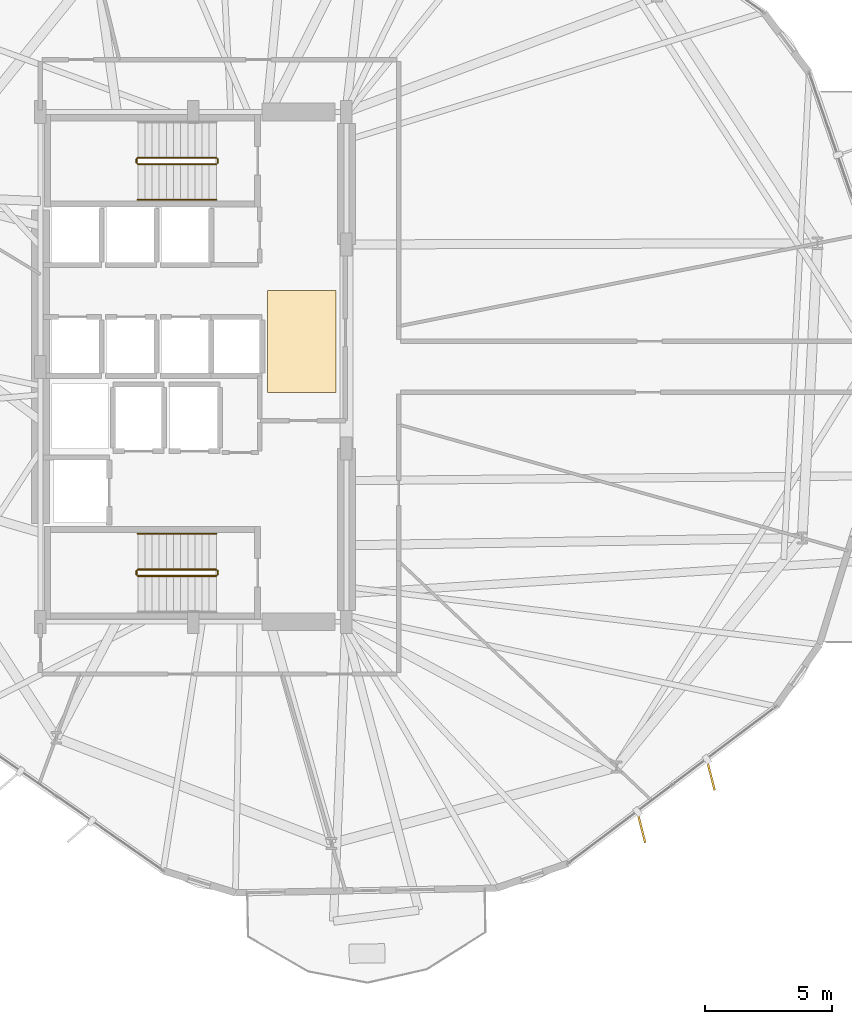
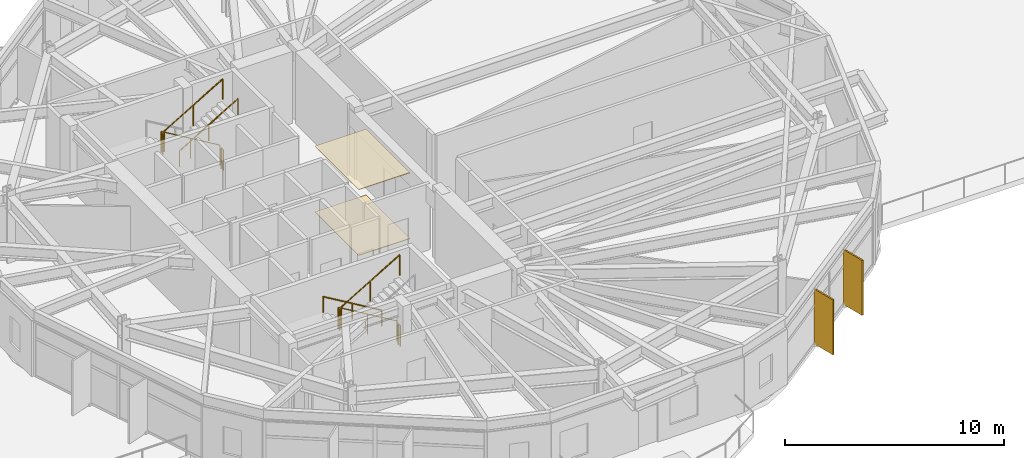
# One storey, part 22 of 23: 10 railings, 2 coverings, 2 shading devices.
"""IFC4 building model written with IfcOpenShell, lengths in metres."""

from ifc_helpers import new_model, si_unit, direction, frame, origin, origin_2d, place, context, subcontext, project, spatial, polyline, rectangle, circle, outline, extrude, material, layer, layer_set, type_object, element, save


model = new_model("IFC4")

# Units and contexts
model_context = context("Model", 3, precision=1e-05, world=origin(), true_north=direction((0.0, 1.0)))
body_context = subcontext(model_context, "Body", "Model", "MODEL_VIEW")
ifc_project = project(units=[si_unit("LENGTHUNIT", "METRE"), si_unit("AREAUNIT", "SQUARE_METRE"), si_unit("VOLUMEUNIT", "CUBIC_METRE"), si_unit("PLANEANGLEUNIT", "RADIAN"), si_unit("MASSUNIT", "GRAM", prefix="KILO")], contexts=[model_context])

# Site, building, storey
site_placement = place(None, origin())
site = spatial("IfcSite", under=ifc_project, at=site_placement, CompositionType="ELEMENT")
building_placement = place(site_placement, origin())
building = spatial("IfcBuilding", under=site, at=building_placement, Name="Soratama Intermodal Tower", CompositionType="ELEMENT")
storey_placement = place(building_placement, frame((0.0, 0.0, 30.60009765625)))
storey = spatial("IfcBuildingStorey", under=building, at=storey_placement, Name="L06", CompositionType="ELEMENT", Elevation=30.60009765625)

# Coverings
ifc_material_1 = material(Name="Perforated mineral acoustic ceiling", Category="concrete")
ifc_layer_1 = layer(ifc_material_1, 0.0400390625)
ifc_layer_set_1 = layer_set([ifc_layer_1], Name="Perforated mineral acoustic ceiling")
covering_type_1 = type_object("IfcCoveringType", Name="CV-CEIL-ACOUSTIC", PredefinedType="CEILING", material=ifc_layer_set_1)
covering_1_placement = place(storey_placement, frame((0.0, 0.0, 3.659912109375)))
element("IfcCovering", 1, at=covering_1_placement, inside=storey, type_object=covering_type_1, Name="L06 Acoustic Ceiling", PredefinedType="CEILING", context=body_context, shape_type="SweptSolid", body=[
    extrude(outline(polyline([(41.5, 24.0), (44.199951171875, 24.0), (44.199951171875, 28.0), (41.5, 28.0), (41.5, 24.0)])), origin(), (0.0, 0.0, 1.0), 0.0400390625),
])
ifc_material_2 = material(Name="Polished Andean stone terrazzo flooring", Category="masonry")
ifc_layer_2 = layer(ifc_material_2, 0.030029296875)
ifc_layer_set_2 = layer_set([ifc_layer_2], Name="Polished Andean stone terrazzo flooring")
covering_type_2 = type_object("IfcCoveringType", Name="CV-FLOR-TERRAZZO", PredefinedType="FLOORING", material=ifc_layer_set_2)
covering_2_placement = place(storey_placement, origin())
element("IfcCovering", 2, at=covering_2_placement, inside=storey, type_object=covering_type_2, Name="L06 Lobby Terrazzo Flooring", PredefinedType="FLOORING", context=body_context, shape_type="SweptSolid", body=[
    extrude(outline(polyline([(41.5, 24.0), (44.199951171875, 24.0), (44.199951171875, 28.0), (41.5, 28.0), (41.5, 24.0)])), origin(), (0.0, 0.0, 1.0), 0.02978515625),
])

# Railings
ifc_material_3 = material(Name="Painted steel stair guardrail", Category="steel")
railing_type_1 = type_object("IfcRailingType", Name="RL-STAIR-GUARD", PredefinedType="GUARDRAIL", material=ifc_material_3)
railing_1_placement = place(storey_placement, frame((39.5, 17.050048828125, 0.16650390625)))
element("IfcRailing", 3, at=railing_1_placement, inside=storey, type_object=railing_type_1, Name="L06 ST-1 stair guard 1", PredefinedType="GUARDRAIL", context=body_context, shape_type="SweptSolid", body=[
    extrude(circle(Radius=0.02392578125, at=origin_2d()), frame((0.0, 0.0, 1.1259765625), z_axis=(-0.85927862911, 0.0, 0.511507807912), x_axis=(0.0, -1.0, 0.0)), (0.0, 0.0, 1.0), 3.58447265625),
    extrude(circle(Radius=0.02099609375, at=origin_2d()), origin(), (0.0, 0.0, 1.0), 1.101806640625),
    extrude(circle(Radius=0.02099609375, at=origin_2d()), frame((-1.5400390625, 0.0, 0.916748046875)), (0.0, 0.0, 1.0), 1.101806640625),
    extrude(circle(Radius=0.02099609375, at=origin_2d()), frame((-3.080078125, 0.0, 1.83349609375)), (0.0, 0.0, 1.0), 1.101806640625),
])
railing_2_placement = place(storey_placement, frame((36.3701171875, 17.0, 2.0)))
element("IfcRailing", 4, at=railing_2_placement, inside=storey, type_object=railing_type_1, Name="L06 ST-1 stair guard 2", PredefinedType="GUARDRAIL", context=body_context, shape_type="SweptSolid", body=[
    extrude(circle(Radius=0.02392578125, at=origin_2d()), frame((0.0, 0.0, 1.1259765625), z_axis=(0.0, -1.0, 0.0), x_axis=(1.0, 0.0, 0.0)), (0.0, 0.0, 1.0), 0.14990234375),
    extrude(circle(Radius=0.02099609375, at=origin_2d()), origin(), (0.0, 0.0, 1.0), 1.101806640625),
    extrude(circle(Radius=0.02099609375, at=origin_2d()), frame((0.0, -0.14990234375, 0.0)), (0.0, 0.0, 1.0), 1.101806640625),
])
railing_3_placement = place(storey_placement, frame((36.419921875, 16.800048828125, 2.16650390625)))
element("IfcRailing", 5, at=railing_3_placement, inside=storey, type_object=railing_type_1, Name="L06 ST-1 stair guard 3", PredefinedType="GUARDRAIL", context=body_context, shape_type="SweptSolid", body=[
    extrude(circle(Radius=0.02392578125, at=origin_2d()), frame((0.0, 0.0, 1.1259765625), z_axis=(0.85927862911, 0.0, 0.511507807912), x_axis=(0.0, 1.0, 0.0)), (0.0, 0.0, 1.0), 3.58447265625),
    extrude(circle(Radius=0.02099609375, at=origin_2d()), origin(), (0.0, 0.0, 1.0), 1.101806640625),
    extrude(circle(Radius=0.02099609375, at=origin_2d()), frame((1.5400390625, 0.0, 0.916748046875)), (0.0, 0.0, 1.0), 1.101806640625),
    extrude(circle(Radius=0.02099609375, at=origin_2d()), frame((3.080078125, 0.0, 1.83349609375)), (0.0, 0.0, 1.0), 1.101806640625),
])
railing_4_placement = place(storey_placement, frame((39.550048828125, 17.0, 0.0)))
element("IfcRailing", 6, at=railing_4_placement, inside=storey, type_object=railing_type_1, Name="L06 ST-1 stair guard 4", PredefinedType="GUARDRAIL", context=body_context, shape_type="SweptSolid", body=[
    extrude(circle(Radius=0.02392578125, at=origin_2d()), frame((0.0, 0.0, 1.1259765625), z_axis=(0.0, -1.0, 0.0), x_axis=(1.0, 0.0, 0.0)), (0.0, 0.0, 1.0), 0.14990234375),
    extrude(circle(Radius=0.02099609375, at=origin_2d()), origin(), (0.0, 0.0, 1.0), 1.101806640625),
    extrude(circle(Radius=0.02099609375, at=origin_2d()), frame((0.0, -0.14990234375, 0.0)), (0.0, 0.0, 1.0), 1.101806640625),
])
railing_5_placement = place(storey_placement, frame((39.5, 33.199951171875, 0.16650390625)))
element("IfcRailing", 7, at=railing_5_placement, inside=storey, type_object=railing_type_1, Name="L06 ST-2 stair guard 1", PredefinedType="GUARDRAIL", context=body_context, shape_type="SweptSolid", body=[
    extrude(circle(Radius=0.02392578125, at=origin_2d()), frame((0.0, 0.0, 1.1259765625), z_axis=(-0.85927862911, 0.0, 0.511507807912), x_axis=(0.0, -1.0, 0.0)), (0.0, 0.0, 1.0), 3.58447265625),
    extrude(circle(Radius=0.02099609375, at=origin_2d()), origin(), (0.0, 0.0, 1.0), 1.101806640625),
    extrude(circle(Radius=0.02099609375, at=origin_2d()), frame((-1.5400390625, 0.0, 0.916748046875)), (0.0, 0.0, 1.0), 1.101806640625),
    extrude(circle(Radius=0.02099609375, at=origin_2d()), frame((-3.080078125, 0.0, 1.83349609375)), (0.0, 0.0, 1.0), 1.101806640625),
])
railing_6_placement = place(storey_placement, frame((36.3701171875, 33.14990234375, 2.0)))
element("IfcRailing", 8, at=railing_6_placement, inside=storey, type_object=railing_type_1, Name="L06 ST-2 stair guard 2", PredefinedType="GUARDRAIL", context=body_context, shape_type="SweptSolid", body=[
    extrude(circle(Radius=0.02392578125, at=origin_2d()), frame((0.0, 0.0, 1.1259765625), z_axis=(0.0, -1.0, 0.0), x_axis=(1.0, 0.0, 0.0)), (0.0, 0.0, 1.0), 0.14990234375),
    extrude(circle(Radius=0.02099609375, at=origin_2d()), origin(), (0.0, 0.0, 1.0), 1.101806640625),
    extrude(circle(Radius=0.02099609375, at=origin_2d()), frame((0.0, -0.14990234375, 0.0)), (0.0, 0.0, 1.0), 1.101806640625),
])
railing_7_placement = place(storey_placement, frame((36.419921875, 32.949951171875, 2.16650390625)))
element("IfcRailing", 9, at=railing_7_placement, inside=storey, type_object=railing_type_1, Name="L06 ST-2 stair guard 3", PredefinedType="GUARDRAIL", context=body_context, shape_type="SweptSolid", body=[
    extrude(circle(Radius=0.02392578125, at=origin_2d()), frame((0.0, 0.0, 1.1259765625), z_axis=(0.85927862911, 0.0, 0.511507807912), x_axis=(0.0, 1.0, 0.0)), (0.0, 0.0, 1.0), 3.58447265625),
    extrude(circle(Radius=0.02099609375, at=origin_2d()), origin(), (0.0, 0.0, 1.0), 1.101806640625),
    extrude(circle(Radius=0.02099609375, at=origin_2d()), frame((1.5400390625, 0.0, 0.916748046875)), (0.0, 0.0, 1.0), 1.101806640625),
    extrude(circle(Radius=0.02099609375, at=origin_2d()), frame((3.080078125, 0.0, 1.83349609375)), (0.0, 0.0, 1.0), 1.101806640625),
])
railing_8_placement = place(storey_placement, frame((39.550048828125, 33.14990234375, 0.0)))
element("IfcRailing", 10, at=railing_8_placement, inside=storey, type_object=railing_type_1, Name="L06 ST-2 stair guard 4", PredefinedType="GUARDRAIL", context=body_context, shape_type="SweptSolid", body=[
    extrude(circle(Radius=0.02392578125, at=origin_2d()), frame((0.0, 0.0, 1.1259765625), z_axis=(0.0, -1.0, 0.0), x_axis=(1.0, 0.0, 0.0)), (0.0, 0.0, 1.0), 0.14990234375),
    extrude(circle(Radius=0.02099609375, at=origin_2d()), origin(), (0.0, 0.0, 1.0), 1.101806640625),
    extrude(circle(Radius=0.02099609375, at=origin_2d()), frame((0.0, -0.14990234375, 0.0)), (0.0, 0.0, 1.0), 1.101806640625),
])
ifc_material_4 = material(Name="Brushed stainless steel handrail", Category="steel")
railing_type_2 = type_object("IfcRailingType", Name="RL-STAIR-HAND", PredefinedType="HANDRAIL", material=ifc_material_4)
railing_9_placement = place(storey_placement, frame((39.5, 18.449951171875, 0.16650390625)))
element("IfcRailing", 11, at=railing_9_placement, inside=storey, type_object=railing_type_2, Name="L06 ST-1 stair handrail 1", PredefinedType="HANDRAIL", context=body_context, shape_type="SweptSolid", body=[
    extrude(circle(Radius=0.02392578125, at=origin_2d()), frame((0.0, 0.0, 0.8759765625), z_axis=(-0.85927862911, 0.0, 0.511507807912), x_axis=(0.0, -1.0, 0.0)), (0.0, 0.0, 1.0), 3.58447265625),
    extrude(circle(Radius=0.02099609375, at=origin_2d()), origin(), (0.0, 0.0, 1.0), 0.851806640625),
    extrude(circle(Radius=0.02099609375, at=origin_2d()), frame((-1.5400390625, 0.0, 0.916748046875)), (0.0, 0.0, 1.0), 0.851806640625),
    extrude(circle(Radius=0.02099609375, at=origin_2d()), frame((-3.080078125, 0.0, 1.83349609375)), (0.0, 0.0, 1.0), 0.851806640625),
])
railing_10_placement = place(storey_placement, frame((36.419921875, 31.550048828125, 2.16650390625)))
element("IfcRailing", 12, at=railing_10_placement, inside=storey, type_object=railing_type_2, Name="L06 ST-2 stair handrail 2", PredefinedType="HANDRAIL", context=body_context, shape_type="SweptSolid", body=[
    extrude(circle(Radius=0.02392578125, at=origin_2d()), frame((0.0, 0.0, 0.8759765625), z_axis=(0.85927862911, 0.0, 0.511507807912), x_axis=(0.0, 1.0, 0.0)), (0.0, 0.0, 1.0), 3.58447265625),
    extrude(circle(Radius=0.02099609375, at=origin_2d()), origin(), (0.0, 0.0, 1.0), 0.851806640625),
    extrude(circle(Radius=0.02099609375, at=origin_2d()), frame((1.5400390625, 0.0, 0.916748046875)), (0.0, 0.0, 1.0), 0.851806640625),
    extrude(circle(Radius=0.02099609375, at=origin_2d()), frame((3.080078125, 0.0, 1.83349609375)), (0.0, 0.0, 1.0), 0.851806640625),
])

# Shading devices
ifc_material_5 = material(Name="Champagne anodised aluminium solar fin", Category="aluminium")
ifc_layer_3 = layer(ifc_material_5, 0.080078125)
ifc_layer_set_3 = layer_set([ifc_layer_3], Name="Champagne anodised aluminium solar fin")
shading_device_type = type_object("IfcShadingDeviceType", Name="SH-FIN-1250", PredefinedType="USERDEFINED", material=ifc_layer_set_3)
for number, where, z_axis, x_axis, name in (
    (13, (56.165283203125, 6.9462890625, 0.019775390625), (0.0, 0.0, 1.0), (0.245138182011, -0.969488149345, 0.0), "L06 Solar Fin F09-1"),
    (14, (58.88818359375, 8.99951171875, 0.019775390625), (0.0, 0.0, 1.0), (0.245138182011, -0.969488149345, 0.0), "L06 Solar Fin F09-2"),
):
    element("IfcShadingDevice", number, at=place(storey_placement, frame(where, z_axis=z_axis, x_axis=x_axis)), inside=storey, type_object=shading_device_type, Name=name, ObjectType="FIN", PredefinedType="USERDEFINED", context=body_context, shape_type="SweptSolid", body=[
        extrude(rectangle(XDim=1.25, YDim=0.080078125, at=origin_2d()), origin(), (0.0, 0.0, 1.0), 3.05908203125),
    ])

save(model, "model.ifc")
